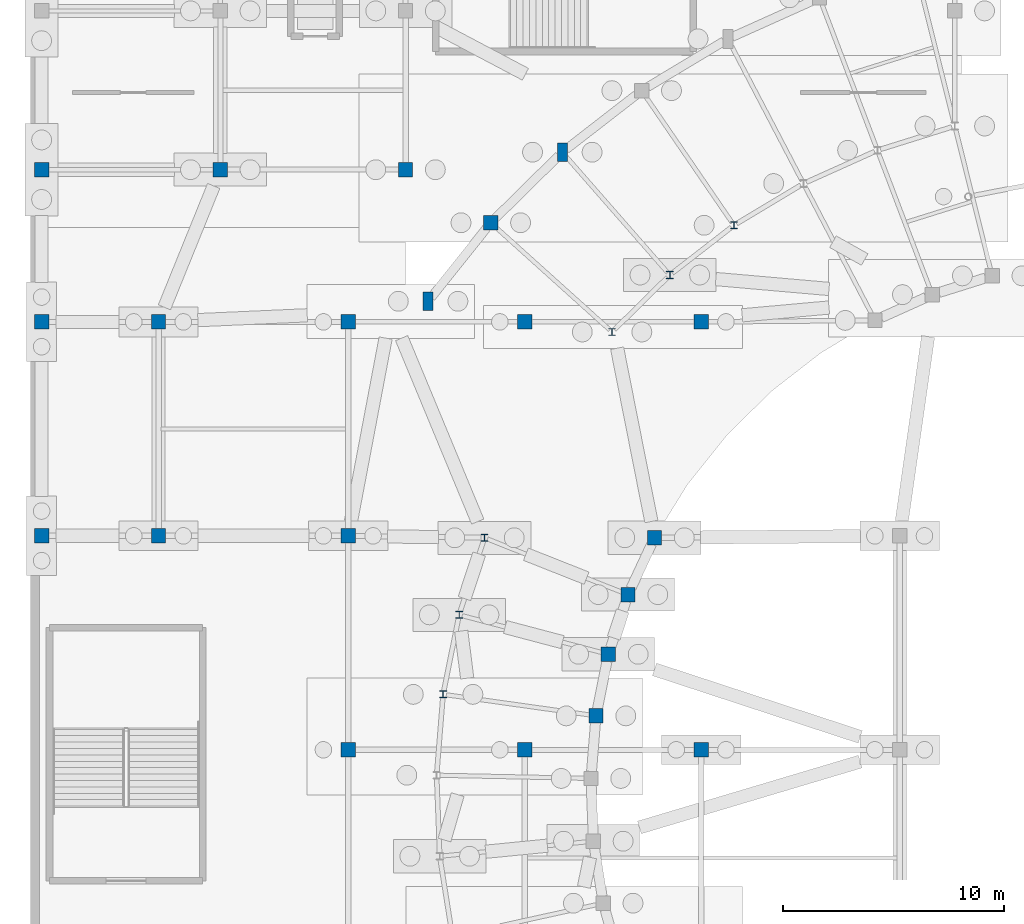
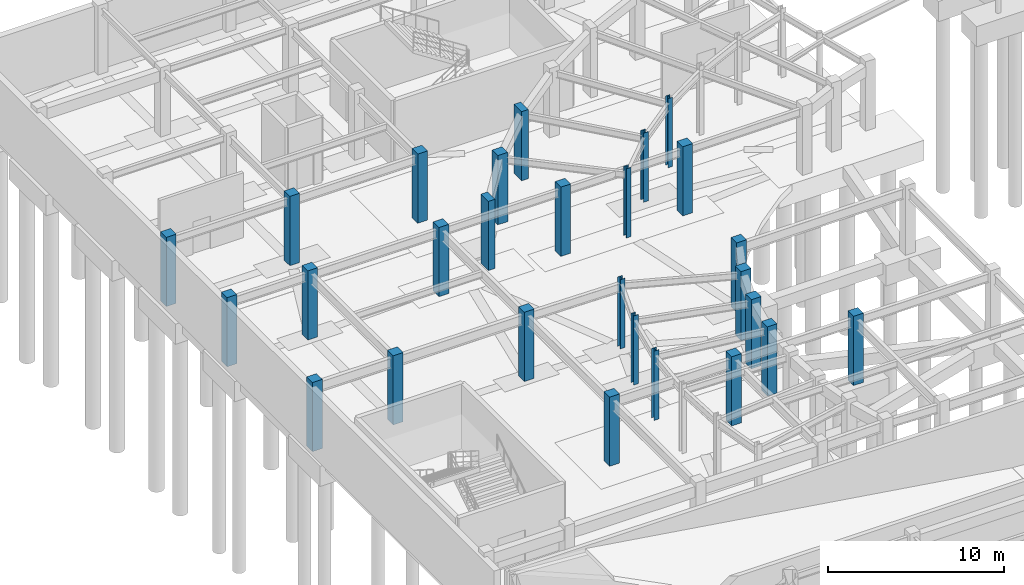
# One storey, part 16 of 68: 27 columns.
"""IFC4 building model written with IfcOpenShell, lengths in metres."""

from ifc_helpers import new_model, si_unit, direction, frame, origin, origin_2d, place, context, subcontext, project, spatial, rectangle, i_section, extrude, material, material_profile, profile_set, type_object, element, save


model = new_model("IFC4")

# Units and contexts
model_context = context("Model", 3, precision=1e-05, world=origin(), true_north=direction((0.0, 1.0)))
body_context = subcontext(model_context, "Body", "Model", "MODEL_VIEW")
ifc_project = project(units=[si_unit("LENGTHUNIT", "METRE"), si_unit("AREAUNIT", "SQUARE_METRE"), si_unit("VOLUMEUNIT", "CUBIC_METRE"), si_unit("PLANEANGLEUNIT", "RADIAN"), si_unit("MASSUNIT", "GRAM", prefix="KILO")], contexts=[model_context])

# Site, building, storey
site_placement = place(None, origin())
site = spatial("IfcSite", under=ifc_project, at=site_placement, CompositionType="ELEMENT")
building_placement = place(site_placement, origin())
building = spatial("IfcBuilding", under=site, at=building_placement, Name="Cinderbank Siding Concert Hall", CompositionType="ELEMENT")
storey_placement = place(building_placement, frame((0.0, 0.0, -4.800048828125)))
storey = spatial("IfcBuildingStorey", under=building, at=storey_placement, Name="B1", CompositionType="ELEMENT", Elevation=-4.800048828125)

# Columns
ifc_material_1 = material(Name="Reinforced concrete AS 3600 N50 (50 MPa)", Category="concrete")
ifc_material_profile_1 = material_profile(ifc_material_1, rectangle(XDim=0.64990234375, YDim=0.64990234375, at=origin_2d()), Name="RC-COL-650x650", Category="LoadBearing")
ifc_profile_set_1 = profile_set([ifc_material_profile_1], Name="Reinforced concrete AS 3600 N50 (50 MPa)")
column_type_1 = type_object("IfcColumnType", Name="C-RC650 RC-COL-650x650", PredefinedType="COLUMN", material=ifc_profile_set_1)
for number, where, z_axis, x_axis, name in (
    (1, (27.462890625, 93.695068359375, 0.0), (0.0, 0.0, 1.0), (1.0, 0.0, 0.0), "B1 Column COL-WOUT-06"),
    (2, (34.887939453125, 79.4150390625, 0.0), (0.0, 0.0, 1.0), (1.0, 0.0, 0.0), "B1 Column COL-WIN-08"),
    (3, (33.68505859375, 76.8349609375, 0.0), (0.0, 0.0, 1.0), (1.0, 0.0, 0.0), "B1 Column COL-WIN-09"),
    (4, (32.7958984375, 74.131103515625, 0.0), (0.0, 0.0, 1.0), (1.0, 0.0, 0.0), "B1 Column COL-WIN-10"),
    (5, (32.23388671875, 71.340087890625, 0.0), (0.0, 0.0, 1.0), (1.0, 0.0, 0.0), "B1 Column COL-WIN-11"),
    (6, (7.10009765625, 96.10009765625, 0.0), (0.0, 0.0, 1.0), (1.0, 0.0, 0.0), "B1 Column COL-NW-1-1"),
    (7, (15.199951171875, 96.10009765625, 0.0), (0.0, 0.0, 1.0), (1.0, 0.0, 0.0), "B1 Column COL-NW-2-1"),
    (8, (23.60009765625, 96.10009765625, 0.0), (0.0, 0.0, 1.0), (1.0, 0.0, 0.0), "B1 Column COL-NW-3-1"),
    (9, (7.10009765625, 79.5, 0.0), (0.0, 0.0, 1.0), (1.0, 0.0, 0.0), "B1 Column COL-WL-1-5"),
    (10, (7.10009765625, 89.199951171875, 0.0), (0.0, 0.0, 1.0), (1.0, 0.0, 0.0), "B1 Column COL-WL-1-6"),
    (11, (12.39990234375, 79.5, 0.0), (0.0, 0.0, 1.0), (1.0, 0.0, 0.0), "B1 Column COL-WL-2-5"),
    (12, (12.39990234375, 89.199951171875, 0.0), (0.0, 0.0, 1.0), (1.0, 0.0, 0.0), "B1 Column COL-WL-2-6"),
    (13, (21.0, 69.800048828125, 0.0), (0.0, 0.0, 1.0), (1.0, 0.0, 0.0), "B1 Column COL-WL-3-4"),
    (14, (21.0, 79.5, 0.0), (0.0, 0.0, 1.0), (1.0, 0.0, 0.0), "B1 Column COL-WL-3-5"),
    (15, (21.0, 89.199951171875, 0.0), (0.0, 0.0, 1.0), (1.0, 0.0, 0.0), "B1 Column COL-WL-3-6"),
    (16, (29.0, 69.800048828125, 0.0), (0.0, 0.0, 1.0), (1.0, 0.0, 0.0), "B1 Column COL-WL-4-4"),
    (17, (29.0, 89.199951171875, 0.0), (0.0, 0.0, 1.0), (1.0, 0.0, 0.0), "B1 Column COL-WL-4-6"),
    (18, (37.0, 69.800048828125, 0.0), (0.0, 0.0, 1.0), (1.0, 0.0, 0.0), "B1 Column COL-WL-5-4"),
    (19, (37.0, 89.199951171875, 0.0), (0.0, 0.0, 1.0), (1.0, 0.0, 0.0), "B1 Column COL-WL-5-6"),
):
    element("IfcColumn", number, at=place(storey_placement, frame(where, z_axis=z_axis, x_axis=x_axis)), inside=storey, type_object=column_type_1, Name=name, PredefinedType="COLUMN", context=body_context, shape_type="SweptSolid", body=[
        extrude(rectangle(XDim=0.64990234375, YDim=0.64990234375, at=origin_2d()), origin(), (0.0, 0.0, 1.0), 4.800048828125),
    ])
ifc_material_2 = material(Name="Structural steel AS/NZS 3679.1 Grade 350 (340 MPa)", Category="steel")
ifc_material_profile_2 = material_profile(ifc_material_2, i_section(OverallWidth=0.306884765625, OverallDepth=0.314697265625, WebThickness=0.011962890625, FlangeThickness=0.018798828125, at=origin_2d()), Name="310UC118", Category="LoadBearing")
ifc_profile_set_2 = profile_set([ifc_material_profile_2], Name="Structural steel AS/NZS 3679.1 Grade 350 (340 MPa)")
column_type_2 = type_object("IfcColumnType", Name="C-UC310 310UC118", PredefinedType="COLUMN", material=ifc_profile_set_2)
for number, where, z_axis, x_axis, name in (
    (20, (38.486083984375, 93.5791015625, 0.0), (0.0, 0.0, 1.0), (1.0, 0.0, 0.0), "B1 Column COL-WMID-04"),
    (21, (32.9619140625, 88.742919921875, 0.0), (0.0, 0.0, 1.0), (1.0, 0.0, 0.0), "B1 Column COL-WMID-06"),
    (22, (26.029052734375, 75.9189453125, 0.0), (0.0, 0.0, 1.0), (1.0, 0.0, 0.0), "B1 Column COL-WMID-10"),
):
    element("IfcColumn", number, at=place(storey_placement, frame(where, z_axis=z_axis, x_axis=x_axis)), inside=storey, type_object=column_type_2, Name=name, PredefinedType="COLUMN", context=body_context, shape_type="SweptSolid", body=[
        extrude(i_section(OverallWidth=0.306884765625, OverallDepth=0.314697265625, WebThickness=0.011962890625, FlangeThickness=0.018798828125, at=origin_2d()), origin(), (0.0, 0.0, 1.0), 4.800048828125),
    ])
ifc_material_profile_3 = material_profile(ifc_material_2, i_section(OverallWidth=0.31103515625, OverallDepth=0.3271484375, WebThickness=0.015625, FlangeThickness=0.02490234375, at=origin_2d()), Name="310UC158", Category="LoadBearing")
ifc_profile_set_3 = profile_set([ifc_material_profile_3], Name="Structural steel AS/NZS 3679.1 Grade 350 (340 MPa)")
column_type_3 = type_object("IfcColumnType", Name="C-UC310H 310UC158", PredefinedType="COLUMN", material=ifc_profile_set_3)
for number, where, z_axis, x_axis, name in (
    (23, (35.5810546875, 91.324951171875, 0.0), (0.0, 0.0, 1.0), (1.0, 0.0, 0.0), "B1 Column COL-WMID-05"),
    (24, (27.177001953125, 79.412109375, 0.0), (0.0, 0.0, 1.0), (1.0, 0.0, 0.0), "B1 Column COL-WMID-09"),
    (25, (25.302001953125, 72.31396484375, 0.0), (0.0, 0.0, 1.0), (1.0, 0.0, 0.0), "B1 Column COL-WMID-11"),
):
    element("IfcColumn", number, at=place(storey_placement, frame(where, z_axis=z_axis, x_axis=x_axis)), inside=storey, type_object=column_type_3, Name=name, PredefinedType="COLUMN", context=body_context, shape_type="SweptSolid", body=[
        extrude(i_section(OverallWidth=0.31103515625, OverallDepth=0.3271484375, WebThickness=0.015625, FlangeThickness=0.02490234375, at=origin_2d()), origin(), (0.0, 0.0, 1.0), 4.800048828125),
    ])
ifc_material_profile_4 = material_profile(ifc_material_1, rectangle(XDim=0.449951171875, YDim=0.85009765625, at=origin_2d()), Name="RC-PIER-450x850", Category="LoadBearing")
ifc_profile_set_4 = profile_set([ifc_material_profile_4], Name="Reinforced concrete AS 3600 N50 (50 MPa)")
column_type_4 = type_object("IfcColumnType", Name="PL-RC850 RC-PIER-450x850", PredefinedType="PILASTER", material=ifc_profile_set_4)
for number, where, z_axis, x_axis, name in (
    (26, (30.7060546875, 96.89306640625, 0.0), (0.0, 0.0, 1.0), (1.0, 0.0, 0.0), "B1 Column COL-WOUT-05"),
    (27, (24.6220703125, 90.135009765625, 0.0), (0.0, 0.0, 1.0), (1.0, 0.0, 0.0), "B1 Column COL-WOUT-07"),
):
    element("IfcColumn", number, at=place(storey_placement, frame(where, z_axis=z_axis, x_axis=x_axis)), inside=storey, type_object=column_type_4, Name=name, PredefinedType="PILASTER", context=body_context, shape_type="SweptSolid", body=[
        extrude(rectangle(XDim=0.449951171875, YDim=0.85009765625, at=origin_2d()), origin(), (0.0, 0.0, 1.0), 4.800048828125),
    ])

save(model, "model.ifc")
